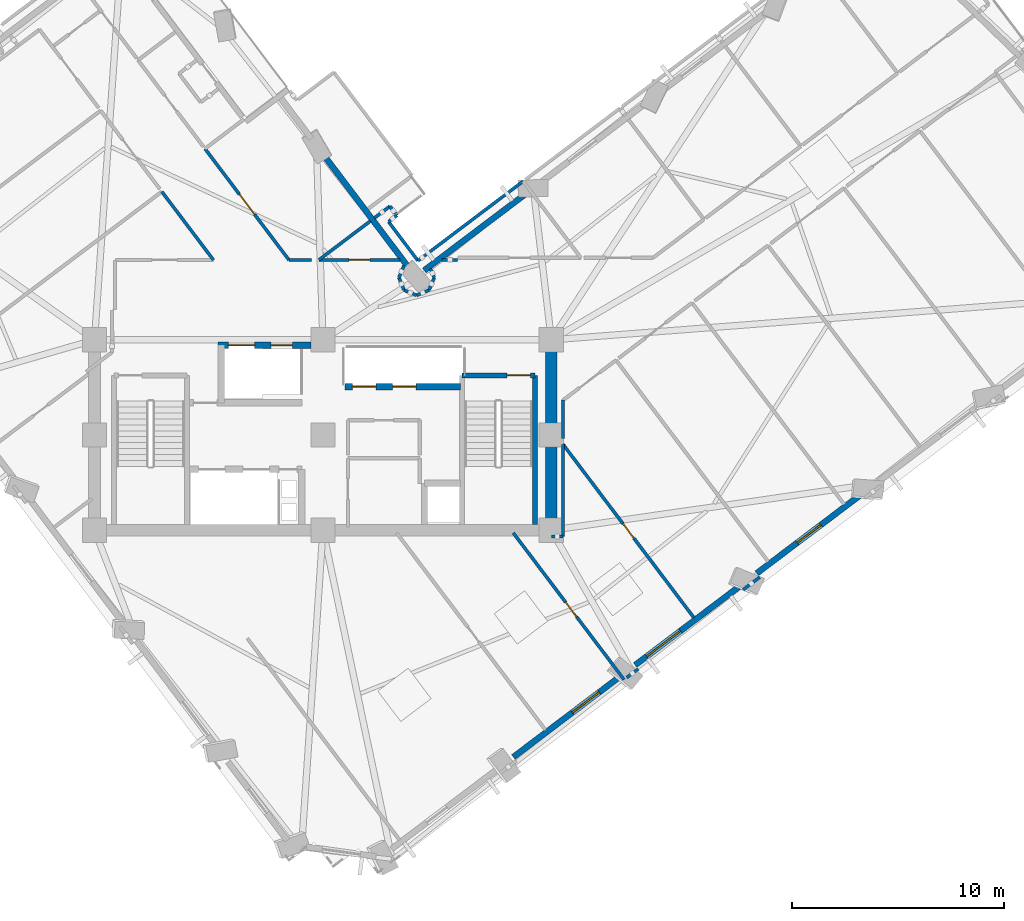
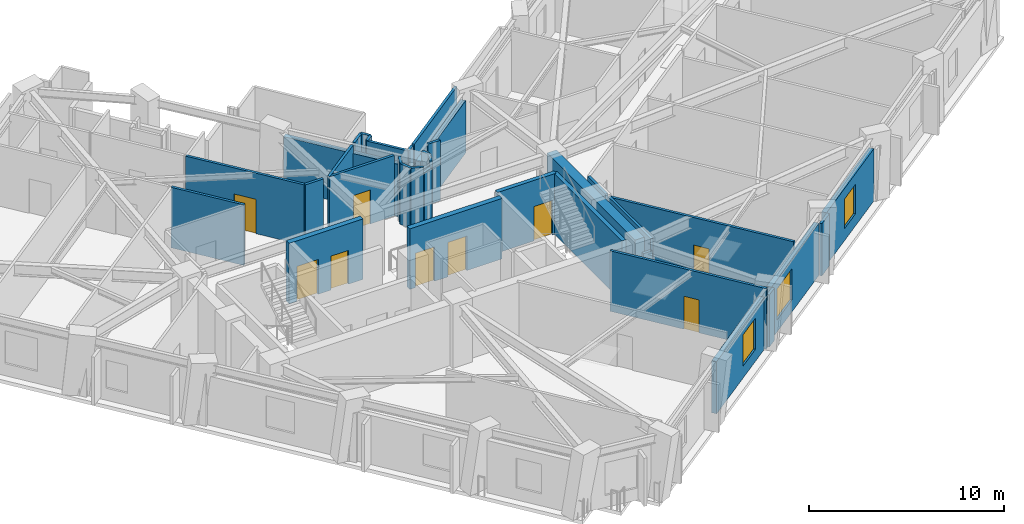
# One storey, part 7 of 15: 35 walls, 9 doors, 3 windows, 12 openings.
"""IFC4 building model written with IfcOpenShell, lengths in metres."""

from ifc_helpers import new_model, si_unit, direction, frame, frame_2d, origin, place, context, subcontext, project, spatial, rectangle, extrude, material, layer, layer_set, type_object, element, fill, save


model = new_model("IFC4")

# Units and contexts
model_context = context("Model", 3, precision=1e-05, world=origin(), true_north=direction((0.0, 1.0)))
body_context = subcontext(model_context, "Body", "Model", "MODEL_VIEW")
ifc_project = project(units=[si_unit("LENGTHUNIT", "METRE"), si_unit("AREAUNIT", "SQUARE_METRE"), si_unit("VOLUMEUNIT", "CUBIC_METRE"), si_unit("PLANEANGLEUNIT", "RADIAN"), si_unit("MASSUNIT", "GRAM", prefix="KILO")], contexts=[model_context])

# Site, building, storey
site_placement = place(None, origin())
site = spatial("IfcSite", under=ifc_project, at=site_placement, CompositionType="ELEMENT")
building_placement = place(site_placement, origin())
building = spatial("IfcBuilding", under=site, at=building_placement, Name="Gaonmaruhae Medical Tower", CompositionType="ELEMENT")
storey_placement = place(building_placement, frame((0.0, 0.0, 181.800048828125)))
storey = spatial("IfcBuildingStorey", under=building, at=storey_placement, Name="L43", CompositionType="ELEMENT", Elevation=181.800048828125)

# Wall
ifc_material_1 = material(Name="Concrete C50/60", Category="concrete")
ifc_layer_1 = layer(ifc_material_1, 0.550048828125)
ifc_layer_set_1 = layer_set([ifc_layer_1], Name="Concrete C50/60")
wall_type_1 = type_object("IfcWallType", Name="CW-550 Mid-High Core Shear Wall", PredefinedType="SHEAR", material=ifc_layer_set_1)
wall_1_placement = place(storey_placement, frame((35.60009765625, 7.800048828125, 0.0), z_axis=(0.0, 0.0, 1.0), x_axis=(0.0, 1.0, 0.0)))
element("IfcWall", 1, at=wall_1_placement, inside=storey, type_object=wall_type_1, Name="L43 Core Shear Wall CSW-E1", PredefinedType="SHEAR", context=body_context, shape_type="SweptSolid", body=[
    extrude(rectangle(XDim=9.0, YDim=0.550048828125, at=frame_2d((4.5, 0.0))), origin(), (0.0, 0.0, 1.0), 3.780029296875),
])

# Wall, opening, window
ifc_material_2 = material(Name="Precast concrete C45/55", Category="concrete")
ifc_layer_2 = layer(ifc_material_2, 0.280029296875)
ifc_layer_set_2 = layer_set([ifc_layer_2], Name="Precast concrete C45/55")
wall_type_2 = type_object("IfcWallType", Name="EW-280 Upper Precast Masonry-Frame Facade Wall", PredefinedType="SOLIDWALL", material=ifc_layer_set_2)
wall_2_placement = place(storey_placement, frame((38.781982421875, 0.83349609375, 0.0), z_axis=(0.0, 0.0, 1.0), x_axis=(-0.798116310231, -0.602503406914, 0.0)))
wall_2 = element("IfcWall", 2, at=wall_2_placement, inside=storey, type_object=wall_type_2, Name="L43 Precast Masonry-Frame Wall S02-S03", PredefinedType="SOLIDWALL", context=body_context, shape_type="SweptSolid", body=[
    extrude(rectangle(XDim=6.234130859375, YDim=0.280029296875, at=frame_2d((3.1171875, 0.0))), origin(), (0.0, 0.0, 1.0), 3.264892578125),
])
opening_1_placement = place(wall_2_placement, frame((1.14453125, 0.0, 0.75)))
opening_1 = element("IfcOpeningElement", 3, at=opening_1_placement, cuts=wall_2, Name="Opening WN-01", PredefinedType="OPENING", context=body_context, shape_type="SweptSolid", body=[
    extrude(rectangle(XDim=1.60009765625, YDim=1.949951171875, at=frame_2d((0.800048828125, 0.97509765625))), frame((0.0, 0.14990234375, 0.0), z_axis=(0.0, -1.0, 0.0), x_axis=(1.0, 0.0, 0.0)), (0.0, 0.0, 1.0), 0.300048828125),
])
ifc_material_3 = material(Name="Anodised aluminium and Low-E double glazing", Category="aluminium")
window_type_1 = type_object("IfcWindowType", Name="WN-01 Ward Punched Acoustic Window 1600x1950", PartitioningType="SINGLE_PANEL", PredefinedType="WINDOW", material=ifc_material_3)
window_1_placement = place(opening_1_placement, origin())
window_1 = element("IfcWindow", 4, at=window_1_placement, inside=storey, type_object=window_type_1, Name="L43 Modular Facade Window S02", OverallHeight=1.949951171875, OverallWidth=1.60009765625, PartitioningType="SINGLE_PANEL", PredefinedType="WINDOW", context=body_context, shape_type="SweptSolid", body=[
    extrude(rectangle(XDim=1.60009765625, YDim=1.949951171875, at=frame_2d((0.800048828125, 0.97509765625))), frame((0.0, 0.030029296875, 0.0), z_axis=(0.0, -1.0, 0.0), x_axis=(1.0, 0.0, 0.0)), (0.0, 0.0, 1.0), 0.06005859375),
])
fill(opening_1, window_1)

wall_3_placement = place(storey_placement, frame((44.52294921875, 5.16748046875, 0.0), z_axis=(0.0, 0.0, 1.0), x_axis=(-0.798115007823, -0.602505132167, 0.0)))
wall_3 = element("IfcWall", 5, at=wall_3_placement, inside=storey, type_object=wall_type_2, Name="L43 Precast Masonry-Frame Wall S03-S04", PredefinedType="SOLIDWALL", context=body_context, shape_type="SweptSolid", body=[
    extrude(rectangle(XDim=6.21435546875, YDim=0.280029296875, at=frame_2d((3.107177734375, 0.0))), origin(), (0.0, 0.0, 1.0), 3.264892578125),
])
opening_2_placement = place(wall_3_placement, frame((3.534912109375, 0.0, 0.75)))
opening_2 = element("IfcOpeningElement", 6, at=opening_2_placement, cuts=wall_3, Name="Opening WN-02", PredefinedType="OPENING", context=body_context, shape_type="SweptSolid", body=[
    extrude(rectangle(XDim=2.0, YDim=1.949951171875, at=frame_2d((1.0, 0.97509765625))), frame((0.0, 0.14990234375, 0.0), z_axis=(0.0, -1.0, 0.0), x_axis=(1.0, 0.0, 0.0)), (0.0, 0.0, 1.0), 0.300048828125),
])
window_type_2 = type_object("IfcWindowType", Name="WN-02 Double-Bed Ward Punched Window 2000x1950", PartitioningType="SINGLE_PANEL", PredefinedType="WINDOW", material=ifc_material_3)
window_2_placement = place(opening_2_placement, origin())
window_2 = element("IfcWindow", 7, at=window_2_placement, inside=storey, type_object=window_type_2, Name="L43 Modular Facade Window S03", OverallHeight=1.949951171875, OverallWidth=2.0, PartitioningType="SINGLE_PANEL", PredefinedType="WINDOW", context=body_context, shape_type="SweptSolid", body=[
    extrude(rectangle(XDim=2.0, YDim=1.949951171875, at=frame_2d((1.0, 0.97509765625))), frame((0.0, 0.030029296875, 0.0), z_axis=(0.0, -1.0, 0.0), x_axis=(1.0, 0.0, 0.0)), (0.0, 0.0, 1.0), 0.06005859375),
])
fill(opening_2, window_2)

wall_4_placement = place(storey_placement, frame((50.269775390625, 9.506103515625, 0.0), z_axis=(0.0, 0.0, 1.0), x_axis=(-0.798099248816, -0.60252600694, 0.0)))
wall_4 = element("IfcWall", 8, at=wall_4_placement, inside=storey, type_object=wall_type_2, Name="L43 Precast Masonry-Frame Wall S04-S05", PredefinedType="SOLIDWALL", context=body_context, shape_type="SweptSolid", body=[
    extrude(rectangle(XDim=6.209228515625, YDim=0.280029296875, at=frame_2d((3.1044921875, 0.0))), origin(), (0.0, 0.0, 1.0), 3.264892578125),
])
opening_3_placement = place(wall_4_placement, frame((2.41943359375, 0.0, 0.75)))
opening_3 = element("IfcOpeningElement", 9, at=opening_3_placement, cuts=wall_4, Name="Opening WN-03", PredefinedType="OPENING", context=body_context, shape_type="SweptSolid", body=[
    extrude(rectangle(XDim=1.39990234375, YDim=1.85009765625, at=frame_2d((0.699951171875, 0.925048828125))), frame((0.0, 0.14990234375, 0.0), z_axis=(0.0, -1.0, 0.0), x_axis=(1.0, 0.0, 0.0)), (0.0, 0.0, 1.0), 0.300048828125),
])
window_type_3 = type_object("IfcWindowType", Name="WN-03 Isolation Ward Punched Window 1400x1850", PartitioningType="SINGLE_PANEL", PredefinedType="WINDOW", material=ifc_material_3)
window_3_placement = place(opening_3_placement, origin())
window_3 = element("IfcWindow", 10, at=window_3_placement, inside=storey, type_object=window_type_3, Name="L43 Modular Facade Window S04", OverallHeight=1.85009765625, OverallWidth=1.39990234375, PartitioningType="SINGLE_PANEL", PredefinedType="WINDOW", context=body_context, shape_type="SweptSolid", body=[
    extrude(rectangle(XDim=1.39990234375, YDim=1.85009765625, at=frame_2d((0.699951171875, 0.925048828125))), frame((0.0, 0.030029296875, 0.0), z_axis=(0.0, -1.0, 0.0), x_axis=(1.0, 0.0, 0.0)), (0.0, 0.0, 1.0), 0.06005859375),
])
fill(opening_3, window_3)

# Walls
wall_5_placement = place(storey_placement, frame((29.588623046875, 20.080322265625, 0.0), z_axis=(0.0, 0.0, 1.0), x_axis=(0.798108500782, 0.602513751694, 0.0)))
element("IfcWall", 11, at=wall_5_placement, inside=storey, type_object=wall_type_2, Name="L43 Precast Masonry-Frame Wall EN03-KN01", PredefinedType="SOLIDWALL", context=body_context, shape_type="SweptSolid", body=[
    extrude(rectangle(XDim=5.960205078125, YDim=0.280029296875, at=frame_2d((2.97998046875, 0.0))), origin(), (0.0, 0.0, 1.0), 3.264892578125),
])
wall_6_placement = place(storey_placement, frame((28.91943359375, 20.12890625, 0.0), z_axis=(0.0, 0.0, 1.0), x_axis=(-0.602505021185, 0.798115091604, 0.0)))
element("IfcWall", 12, at=wall_6_placement, inside=storey, type_object=wall_type_2, Name="L43 Precast Masonry-Frame Wall KN01-NE01", PredefinedType="SOLIDWALL", context=body_context, shape_type="SweptSolid", body=[
    extrude(rectangle(XDim=6.759765625, YDim=0.280029296875, at=frame_2d((3.3798828125, 0.0))), origin(), (0.0, 0.0, 1.0), 3.264892578125),
])

# Wall, opening, door
ifc_material_4 = material(Name="Gypsum board partition", Category="gypsum")
ifc_layer_3 = layer(ifc_material_4, 0.14990234375)
ifc_layer_set_3 = layer_set([ifc_layer_3], Name="Gypsum board partition")
wall_type_3 = type_object("IfcWallType", Name="PW-150 Rated Clinical Corridor Partition", PredefinedType="PARTITIONING", material=ifc_layer_set_3)
wall_7_placement = place(storey_placement, frame((33.800048828125, 7.672119140625, 0.0), z_axis=(0.0, 0.0, 1.0), x_axis=(0.602541315971, -0.798087691014, 0.0)))
wall_7 = element("IfcWall", 13, at=wall_7_placement, inside=storey, type_object=wall_type_3, Name="L43 Interior Partition L43-SUP04-13", PredefinedType="PARTITIONING", context=body_context, shape_type="SweptSolid", body=[
    extrude(rectangle(XDim=8.689697265625, YDim=0.14990234375, at=frame_2d((4.3447265625, 0.0))), origin(), (0.0, 0.0, 1.0), 3.780029296875),
])
opening_4_placement = place(wall_7_placement, frame((4.102783203125, 0.0, 0.0)))
opening_4 = element("IfcOpeningElement", 14, at=opening_4_placement, cuts=wall_7, Name="Opening AD-01", PredefinedType="OPENING", context=body_context, shape_type="SweptSolid", body=[
    extrude(rectangle(XDim=0.860107421875, YDim=2.06005859375, at=frame_2d((0.43017578125, 1.030029296875))), frame((0.0, 0.0849609375, 0.0), z_axis=(0.0, -1.0, 0.0), x_axis=(1.0, 0.0, 0.0)), (0.0, 0.0, 1.0), 0.169921875),
])
ifc_material_5 = material(Name="Powder-coated steel access door", Category="steel")
door_type_1 = type_object("IfcDoorType", Name="AD-01 Riser & Closet Access Fire Door 860x2060", OperationType="NOTDEFINED", PredefinedType="DOOR", material=ifc_material_5)
door_1_placement = place(opening_4_placement, origin())
door_1 = element("IfcDoor", 15, at=door_1_placement, inside=storey, type_object=door_type_1, Name="L43 Clinical Biomedical Charting Office Sliding Door", OperationType="SLIDING_TO_LEFT", OverallHeight=2.06005859375, OverallWidth=0.860107421875, PredefinedType="DOOR", context=body_context, shape_type="SweptSolid", body=[
    extrude(rectangle(XDim=0.860107421875, YDim=2.06005859375, at=frame_2d((0.43017578125, 1.030029296875))), frame((0.0, 0.02490234375, 0.0), z_axis=(0.0, -1.0, 0.0), x_axis=(1.0, 0.0, 0.0)), (0.0, 0.0, 1.0), 0.050048828125),
])
fill(opening_4, door_1)

wall_8_placement = place(storey_placement, frame((36.14990234375, 11.862060546875, 0.0), z_axis=(0.0, 0.0, 1.0), x_axis=(0.602487751948, -0.79812812803, 0.0)))
wall_8 = element("IfcWall", 16, at=wall_8_placement, inside=storey, type_object=wall_type_3, Name="L43 Interior Partition L43-SUP05-14", PredefinedType="PARTITIONING", context=body_context, shape_type="SweptSolid", body=[
    extrude(rectangle(XDim=10.272705078125, YDim=0.14990234375, at=frame_2d((5.13623046875, 0.0))), origin(), (0.0, 0.0, 1.0), 3.780029296875),
])
opening_5_placement = place(wall_8_placement, frame((4.706298828125, 0.0, 0.0)))
opening_5 = element("IfcOpeningElement", 17, at=opening_5_placement, cuts=wall_8, Name="Opening AD-01", PredefinedType="OPENING", context=body_context, shape_type="SweptSolid", body=[
    extrude(rectangle(XDim=0.860107421875, YDim=2.06005859375, at=frame_2d((0.43017578125, 1.030029296875))), frame((0.0, 0.0849609375, 0.0), z_axis=(0.0, -1.0, 0.0), x_axis=(1.0, 0.0, 0.0)), (0.0, 0.0, 1.0), 0.169921875),
])
door_2_placement = place(opening_5_placement, origin())
door_2 = element("IfcDoor", 18, at=door_2_placement, inside=storey, type_object=door_type_1, Name="L43 Clinical Biomedical Charting Office Sliding Door", OperationType="SLIDING_TO_LEFT", OverallHeight=2.06005859375, OverallWidth=0.860107421875, PredefinedType="DOOR", context=body_context, shape_type="SweptSolid", body=[
    extrude(rectangle(XDim=0.860107421875, YDim=2.06005859375, at=frame_2d((0.43017578125, 1.030029296875))), frame((0.0, 0.02490234375, 0.0), z_axis=(0.0, -1.0, 0.0), x_axis=(1.0, 0.0, 0.0)), (0.0, 0.0, 1.0), 0.050048828125),
])
fill(opening_5, door_2)

# Walls
wall_9_placement = place(storey_placement, frame((39.701904296875, 1.239990234375, 0.0), z_axis=(0.0, 0.0, 1.0), x_axis=(-0.797956198475, -0.602715443071, 0.0)))
element("IfcWall", 19, at=wall_9_placement, inside=storey, type_object=wall_type_3, Name="L43 Interior Partition L43-SUP05-15", PredefinedType="PARTITIONING", context=body_context, shape_type="SweptSolid", body=[
    extrude(rectangle(XDim=0.67529296875, YDim=0.14990234375, at=frame_2d((0.337646484375, 0.0))), origin(), (0.0, 0.0, 1.0), 3.264892578125),
])
wall_10_placement = place(storey_placement, frame((35.60009765625, 7.5, 0.0), z_axis=(0.0, 0.0, 1.0), x_axis=(1.0, 0.0, 0.0)))
element("IfcWall", 20, at=wall_10_placement, inside=storey, type_object=wall_type_3, Name="L43 Interior Partition L43-SUP05-16", PredefinedType="PARTITIONING", context=body_context, shape_type="SweptSolid", body=[
    extrude(rectangle(XDim=0.5498046875, YDim=0.14990234375, at=frame_2d((0.27490234375, 0.0))), origin(), (0.0, 0.0, 1.0), 3.06494140625),
])
wall_11_placement = place(storey_placement, frame((36.14990234375, 7.5, 0.0), z_axis=(0.0, 0.0, 1.0), x_axis=(0.0, 1.0, 0.0)))
element("IfcWall", 21, at=wall_11_placement, inside=storey, type_object=wall_type_3, Name="L43 Interior Partition L43-SUP05-17", PredefinedType="PARTITIONING", context=body_context, shape_type="SweptSolid", body=[
    extrude(rectangle(XDim=4.362060546875, YDim=0.14990234375, at=frame_2d((2.18115234375, 0.0))), origin(), (0.0, 0.0, 1.0), 3.780029296875),
])
wall_12_placement = place(storey_placement, frame((45.452880859375, 5.5810546875, 0.0), z_axis=(0.0, 0.0, 1.0), x_axis=(-0.798014769905, -0.602637890456, 0.0)))
element("IfcWall", 22, at=wall_12_placement, inside=storey, type_object=wall_type_3, Name="L43 Interior Partition L43-SUP06-19", PredefinedType="PARTITIONING", context=body_context, shape_type="SweptSolid", body=[
    extrude(rectangle(XDim=0.990966796875, YDim=0.14990234375, at=frame_2d((0.49560546875, 0.0))), origin(), (0.0, 0.0, 1.0), 3.264892578125),
])
wall_13_placement = place(storey_placement, frame((36.14990234375, 12.1279296875, 0.0), z_axis=(0.0, 0.0, 1.0), x_axis=(0.0, 1.0, 0.0)))
element("IfcWall", 23, at=wall_13_placement, inside=storey, type_object=wall_type_3, Name="L43 Interior Partition L43-SUP06-20", PredefinedType="PARTITIONING", context=body_context, shape_type="SweptSolid", body=[
    extrude(rectangle(XDim=1.817138671875, YDim=0.14990234375, at=frame_2d((0.90869140625, 0.0))), origin(), (0.0, 0.0, 1.0), 3.780029296875),
])
wall_14_placement = place(storey_placement, frame((17.18310546875, 23.80810546875, 0.0), z_axis=(0.0, 0.0, 1.0), x_axis=(0.602527348014, -0.798098236369, 0.0)))
element("IfcWall", 24, at=wall_14_placement, inside=storey, type_object=wall_type_3, Name="L43 Interior Partition L43-WOF15-50", PredefinedType="PARTITIONING", context=body_context, shape_type="SweptSolid", body=[
    extrude(rectangle(XDim=4.044677734375, YDim=0.14990234375, at=frame_2d((2.0224609375, 0.0))), origin(), (0.0, 0.0, 1.0), 3.780029296875),
])
wall_15_placement = place(storey_placement, frame((29.29296875, 20.5458984375, 0.0), z_axis=(0.0, 0.0, 1.0), x_axis=(0.797244555245, 0.603656457873, 0.0)))
element("IfcWall", 25, at=wall_15_placement, inside=storey, type_object=wall_type_3, Name="L43 Interior Partition L43-IE01-60", PredefinedType="PARTITIONING", context=body_context, shape_type="SweptSolid", body=[
    extrude(rectangle(XDim=0.490478515625, YDim=0.14990234375, at=frame_2d((0.2451171875, 0.0))), origin(), (0.0, 0.0, 1.0), 3.780029296875),
])
wall_16_placement = place(storey_placement, frame((29.886962890625, 20.160888671875, 0.0), z_axis=(0.0, 0.0, 1.0), x_axis=(0.382178193532, -0.924088647473, 0.0)))
element("IfcWall", 26, at=wall_16_placement, inside=storey, type_object=wall_type_3, Name="L43 Interior Partition L43-IE01-61", PredefinedType="PARTITIONING", context=body_context, shape_type="SweptSolid", body=[
    extrude(rectangle(XDim=0.45556640625, YDim=0.14990234375, at=frame_2d((0.227783203125, 0.0))), origin(), (0.0, 0.0, 1.0), 3.780029296875),
])
wall_17_placement = place(storey_placement, frame((30.06103515625, 19.739990234375, 0.0), z_axis=(0.0, 0.0, 1.0), x_axis=(-0.382306769343, -0.924035461503, 0.0)))
element("IfcWall", 27, at=wall_17_placement, inside=storey, type_object=wall_type_3, Name="L43 Interior Partition L43-IE01-62", PredefinedType="PARTITIONING", context=body_context, shape_type="SweptSolid", body=[
    extrude(rectangle(XDim=0.638671875, YDim=0.14990234375, at=frame_2d((0.3193359375, 0.0))), origin(), (0.0, 0.0, 1.0), 3.780029296875),
])
wall_18_placement = place(storey_placement, frame((29.81689453125, 19.14990234375, 0.0), z_axis=(0.0, 0.0, 1.0), x_axis=(-0.923890787601, -0.382656259044, 0.0)))
element("IfcWall", 28, at=wall_18_placement, inside=storey, type_object=wall_type_3, Name="L43 Interior Partition L43-IE01-63", PredefinedType="PARTITIONING", context=body_context, shape_type="SweptSolid", body=[
    extrude(rectangle(XDim=0.637451171875, YDim=0.14990234375, at=frame_2d((0.31884765625, 0.0))), origin(), (0.0, 0.0, 1.0), 3.4150390625),
])
for number, where, z_axis, x_axis, name in (
    (29, (29.22802734375, 18.906005859375, 0.0), (0.0, 0.0, 1.0), (-0.924170479167, 0.381980268386, 0.0), "L43 Interior Partition L43-IE01-64"),
    (30, (28.637939453125, 19.14990234375, 0.0), (0.0, 0.0, 1.0), (-0.381980268386, 0.924170479167, 0.0), "L43 Interior Partition L43-IE01-65"),
):
    element("IfcWall", number, at=place(storey_placement, frame(where, z_axis=z_axis, x_axis=x_axis)), inside=storey, type_object=wall_type_3, Name=name, PredefinedType="PARTITIONING", context=body_context, shape_type="SweptSolid", body=[
        extrude(rectangle(XDim=0.638427734375, YDim=0.14990234375, at=frame_2d((0.3193359375, 0.0))), origin(), (0.0, 0.0, 1.0), 3.780029296875),
    ])
wall_19_placement = place(storey_placement, frame((28.39404296875, 19.739990234375, 0.0), z_axis=(0.0, 0.0, 1.0), x_axis=(0.382754628836, 0.923850038753, 0.0)))
element("IfcWall", 31, at=wall_19_placement, inside=storey, type_object=wall_type_3, Name="L43 Interior Partition L43-IE01-66", PredefinedType="PARTITIONING", context=body_context, shape_type="SweptSolid", body=[
    extrude(rectangle(XDim=0.62451171875, YDim=0.14990234375, at=frame_2d((0.312255859375, 0.0))), origin(), (0.0, 0.0, 1.0), 3.780029296875),
])

# Wall, opening, door
wall_20_placement = place(storey_placement, frame((28.43603515625, 20.577880859375, 0.0), z_axis=(0.0, 0.0, 1.0), x_axis=(-0.999999835274, 0.000573979497, 0.0)))
wall_20 = element("IfcWall", 32, at=wall_20_placement, inside=storey, type_object=wall_type_3, Name="L43 Interior Partition L43-IE01-67", PredefinedType="PARTITIONING", context=body_context, shape_type="SweptSolid", body=[
    extrude(rectangle(XDim=3.828125, YDim=0.14990234375, at=frame_2d((1.9140625, 0.0))), origin(), (0.0, 0.0, 1.0), 3.780029296875),
])
opening_6_placement = place(wall_20_placement, frame((1.4140625, 0.0, 0.0)))
opening_6 = element("IfcOpeningElement", 33, at=opening_6_placement, cuts=wall_20, Name="Opening CD-01", PredefinedType="OPENING", context=body_context, shape_type="SweptSolid", body=[
    extrude(rectangle(XDim=1.0, YDim=2.1201171875, at=frame_2d((0.5, 1.06005859375))), frame((0.0, 0.0849609375, 0.0), z_axis=(0.0, -1.0, 0.0), x_axis=(1.0, 0.0, 0.0)), (0.0, 0.0, 1.0), 0.169921875),
])
ifc_material_6 = material(Name="Antimicrobial laminate timber fire door", Category="wood")
door_type_2 = type_object("IfcDoorType", Name="CD-01 Consultation & Physician Office Door 1000x2120", OperationType="NOTDEFINED", PredefinedType="DOOR", material=ifc_material_6)
door_3_placement = place(opening_6_placement, origin())
door_3 = element("IfcDoor", 34, at=door_3_placement, inside=storey, type_object=door_type_2, Name="L43 Central Clinical Nurse Station Door", OperationType="SINGLE_SWING_RIGHT", OverallHeight=2.1201171875, OverallWidth=1.0, PredefinedType="DOOR", context=body_context, shape_type="SweptSolid", body=[
    extrude(rectangle(XDim=1.0, YDim=2.1201171875, at=frame_2d((0.5, 1.06005859375))), frame((0.0, 0.02490234375, 0.0), z_axis=(0.0, -1.0, 0.0), x_axis=(1.0, 0.0, 0.0)), (0.0, 0.0, 1.0), 0.050048828125),
])
fill(opening_6, door_3)

# Walls
wall_21_placement = place(storey_placement, frame((24.60791015625, 20.580078125, 0.0), z_axis=(0.0, 0.0, 1.0), x_axis=(0.798212355552, 0.602376157765, 0.0)))
element("IfcWall", 35, at=wall_21_placement, inside=storey, type_object=wall_type_3, Name="L43 Interior Partition L43-IE01-68", PredefinedType="PARTITIONING", context=body_context, shape_type="SweptSolid", body=[
    extrude(rectangle(XDim=3.05419921875, YDim=0.14990234375, at=frame_2d((1.527099609375, 0.0))), origin(), (0.0, 0.0, 1.0), 3.780029296875),
])
wall_22_placement = place(storey_placement, frame((27.22900390625, 22.55908203125, 0.0), z_axis=(0.0, 0.0, 1.0), x_axis=(0.798253828191, 0.602321198182, 0.0)))
element("IfcWall", 36, at=wall_22_placement, inside=storey, type_object=wall_type_3, Name="L43 Interior Partition L43-IE01-69", PredefinedType="PARTITIONING", context=body_context, shape_type="SweptSolid", body=[
    extrude(rectangle(XDim=0.924560546875, YDim=0.14990234375, at=frame_2d((0.46240234375, 0.0))), origin(), (0.0, 0.0, 1.0), 3.780029296875),
])
wall_23_placement = place(storey_placement, frame((27.967041015625, 23.115966796875, 0.0), z_axis=(0.0, 0.0, 1.0), x_axis=(0.602725153945, -0.797948863525, 0.0)))
element("IfcWall", 37, at=wall_23_placement, inside=storey, type_object=wall_type_3, Name="L43 Interior Partition L43-IE01-70", PredefinedType="PARTITIONING", context=body_context, shape_type="SweptSolid", body=[
    extrude(rectangle(XDim=0.5439453125, YDim=0.14990234375, at=frame_2d((0.27197265625, 0.0))), origin(), (0.0, 0.0, 1.0), 3.780029296875),
])
wall_24_placement = place(storey_placement, frame((28.294921875, 22.681884765625, 0.0), z_axis=(0.0, 0.0, 1.0), x_axis=(-0.798261520433, -0.602311003549, 0.0)))
element("IfcWall", 38, at=wall_24_placement, inside=storey, type_object=wall_type_3, Name="L43 Interior Partition L43-IE01-71", PredefinedType="PARTITIONING", context=body_context, shape_type="SweptSolid", body=[
    extrude(rectangle(XDim=0.48974609375, YDim=0.14990234375, at=frame_2d((0.244873046875, 0.0))), origin(), (0.0, 0.0, 1.0), 3.780029296875),
])
wall_25_placement = place(storey_placement, frame((27.904052734375, 22.386962890625, 0.0), z_axis=(0.0, 0.0, 1.0), x_axis=(0.602250369938, -0.798307266602, 0.0)))
element("IfcWall", 39, at=wall_25_placement, inside=storey, type_object=wall_type_3, Name="L43 Interior Partition L43-IE01-72", PredefinedType="PARTITIONING", context=body_context, shape_type="SweptSolid", body=[
    extrude(rectangle(XDim=2.30615234375, YDim=0.14990234375, at=frame_2d((1.153076171875, 0.0))), origin(), (0.0, 0.0, 1.0), 3.780029296875),
])
wall_26_placement = place(storey_placement, frame((31.169921875, 20.580078125, 0.0), z_axis=(0.0, 0.0, 1.0), x_axis=(-1.0, 0.0, 0.0)))
element("IfcWall", 40, at=wall_26_placement, inside=storey, type_object=wall_type_3, Name="L43 Interior Partition L43-IE02-73", PredefinedType="PARTITIONING", context=body_context, shape_type="SweptSolid", body=[
    extrude(rectangle(XDim=0.72900390625, YDim=0.14990234375, at=frame_2d((0.364501953125, 0.0))), origin(), (0.0, 0.0, 1.0), 3.780029296875),
])
wall_27_placement = place(storey_placement, frame((29.780029296875, 20.9140625, 0.0), z_axis=(0.0, 0.0, 1.0), x_axis=(0.798108322746, 0.602513987525, 0.0)))
element("IfcWall", 41, at=wall_27_placement, inside=storey, type_object=wall_type_3, Name="L43 Interior Partition L43-IE02-74", PredefinedType="PARTITIONING", context=body_context, shape_type="SweptSolid", body=[
    extrude(rectangle(XDim=5.6181640625, YDim=0.14990234375, at=frame_2d((2.80908203125, 0.0))), origin(), (0.0, 0.0, 1.0), 3.780029296875),
])
wall_28_placement = place(storey_placement, frame((24.263916015625, 20.580078125, 0.0), z_axis=(0.0, 0.0, 1.0), x_axis=(-1.0, 0.0, 0.0)))
element("IfcWall", 42, at=wall_28_placement, inside=storey, type_object=wall_type_3, Name="L43 Interior Partition L43-IN01-97", PredefinedType="PARTITIONING", context=body_context, shape_type="SweptSolid", body=[
    extrude(rectangle(XDim=1.072998046875, YDim=0.14990234375, at=frame_2d((0.53662109375, 0.0))), origin(), (0.0, 0.0, 1.0), 3.780029296875),
])

# Wall, opening, door
wall_29_placement = place(storey_placement, frame((23.19091796875, 20.580078125, 0.0), z_axis=(0.0, 0.0, 1.0), x_axis=(-0.602464385219, 0.798145766476, 0.0)))
wall_29 = element("IfcWall", 43, at=wall_29_placement, inside=storey, type_object=wall_type_3, Name="L43 Interior Partition L43-IN01-98", PredefinedType="PARTITIONING", context=body_context, shape_type="SweptSolid", body=[
    extrude(rectangle(XDim=6.58642578125, YDim=0.14990234375, at=frame_2d((3.293212890625, 0.0))), origin(), (0.0, 0.0, 1.0), 3.780029296875),
])
opening_7_placement = place(wall_29_placement, frame((2.693115234375, 0.0, 0.0)))
opening_7 = element("IfcOpeningElement", 44, at=opening_7_placement, cuts=wall_29, Name="Opening CD-02", PredefinedType="OPENING", context=body_context, shape_type="SweptSolid", body=[
    extrude(rectangle(XDim=1.199951171875, YDim=2.14990234375, at=frame_2d((0.60009765625, 1.074951171875))), frame((0.0, 0.0849609375, 0.0), z_axis=(0.0, -1.0, 0.0), x_axis=(1.0, 0.0, 0.0)), (0.0, 0.0, 1.0), 0.169921875),
])
door_type_3 = type_object("IfcDoorType", Name="CD-02 Clinical Treatment & Procedure Door 1200x2150", OperationType="NOTDEFINED", PredefinedType="DOOR", material=ifc_material_6)
door_4_placement = place(opening_7_placement, origin())
door_4 = element("IfcDoor", 45, at=door_4_placement, inside=storey, type_object=door_type_3, Name="L43 Physician Consultation Office Door", OperationType="SINGLE_SWING_RIGHT", OverallHeight=2.14990234375, OverallWidth=1.199951171875, PredefinedType="DOOR", context=body_context, shape_type="SweptSolid", body=[
    extrude(rectangle(XDim=1.199951171875, YDim=2.14990234375, at=frame_2d((0.60009765625, 1.074951171875))), frame((0.0, 0.02490234375, 0.0), z_axis=(0.0, -1.0, 0.0), x_axis=(1.0, 0.0, 0.0)), (0.0, 0.0, 1.0), 0.050048828125),
])
fill(opening_7, door_4)

ifc_layer_4 = layer(ifc_material_1, 0.239990234375)
ifc_layer_set_4 = layer_set([ifc_layer_4], Name="Concrete C50/60")
wall_type_4 = type_object("IfcWallType", Name="SW-240 Dogleg Stair Tight Shaft Wall", PredefinedType="SOLIDWALL", material=ifc_layer_set_4)
wall_30_placement = place(storey_placement, frame((31.3701171875, 15.1201171875, 0.0), z_axis=(0.0, 0.0, 1.0), x_axis=(1.0, 0.0, 0.0)))
wall_30 = element("IfcWall", 46, at=wall_30_placement, inside=storey, type_object=wall_type_4, Name="L43 ST-02 Stair Shaft Wall SHW-ST-02-N", PredefinedType="SOLIDWALL", context=body_context, shape_type="SweptSolid", body=[
    extrude(rectangle(XDim=3.4599609375, YDim=0.239990234375, at=frame_2d((1.72998046875, 0.0))), origin(), (0.0, 0.0, 1.0), 3.780029296875),
])
opening_8_placement = place(wall_30_placement, frame((2.139892578125, 0.0, 0.0)))
opening_8 = element("IfcOpeningElement", 47, at=opening_8_placement, cuts=wall_30, Name="Opening FD-01", PredefinedType="OPENING", context=body_context, shape_type="SweptSolid", body=[
    extrude(rectangle(XDim=1.10009765625, YDim=2.14990234375, at=frame_2d((0.550048828125, 1.074951171875))), frame((0.0, 0.1298828125, 0.0), z_axis=(0.0, -1.0, 0.0), x_axis=(1.0, 0.0, 0.0)), (0.0, 0.0, 1.0), 0.260009765625),
])
ifc_material_7 = material(Name="Powder-coated steel fire door", Category="steel")
door_type_4 = type_object("IfcDoorType", Name="FD-01 Escape Stair Protected Fire Door 1100x2150", OperationType="NOTDEFINED", PredefinedType="DOOR", material=ifc_material_7)
door_5_placement = place(opening_8_placement, origin())
door_5 = element("IfcDoor", 48, at=door_5_placement, inside=storey, type_object=door_type_4, Name="L43 ST-02 Protected Escape Stair Door", OperationType="SINGLE_SWING_LEFT", OverallHeight=2.14990234375, OverallWidth=1.10009765625, PredefinedType="DOOR", context=body_context, shape_type="SweptSolid", body=[
    extrude(rectangle(XDim=1.10009765625, YDim=2.14990234375, at=frame_2d((0.550048828125, 1.074951171875))), frame((0.0, 0.02490234375, 0.0), z_axis=(0.0, -1.0, 0.0), x_axis=(1.0, 0.0, 0.0)), (0.0, 0.0, 1.0), 0.050048828125),
])
fill(opening_8, door_5)

# Wall
wall_31_placement = place(storey_placement, frame((34.830078125, 15.1201171875, 0.0), z_axis=(0.0, 0.0, 1.0), x_axis=(0.0, -1.0, 0.0)))
element("IfcWall", 49, at=wall_31_placement, inside=storey, type_object=wall_type_4, Name="L43 ST-02 Stair Shaft Wall SHW-ST-02-E", PredefinedType="SOLIDWALL", context=body_context, shape_type="SweptSolid", body=[
    extrude(rectangle(XDim=7.045166015625, YDim=0.239990234375, at=frame_2d((3.5224609375, 0.0))), origin(), (0.0, 0.0, 1.0), 3.780029296875),
])

# Wall, openings, doors
ifc_layer_5 = layer(ifc_material_1, 0.300048828125)
ifc_layer_set_5 = layer_set([ifc_layer_5], Name="Concrete C50/60")
wall_type_5 = type_object("IfcWallType", Name="SW-300 Stair & Lift Hoistway Shaft Wall", PredefinedType="SOLIDWALL", material=ifc_layer_set_5)
wall_32_placement = place(storey_placement, frame((19.85009765625, 16.550048828125, 0.0), z_axis=(0.0, 0.0, 1.0), x_axis=(1.0, 0.0, 0.0)))
wall_32 = element("IfcWall", 50, at=wall_32_placement, inside=storey, type_object=wall_type_5, Name="L43 Core Shear Wall CSW-NB", PredefinedType="SOLIDWALL", context=body_context, shape_type="SweptSolid", body=[
    extrude(rectangle(XDim=4.375, YDim=0.300048828125, at=frame_2d((2.1875, 0.0))), origin(), (0.0, 0.0, 1.0), 3.780029296875),
])
opening_9_placement = place(wall_32_placement, frame((0.47509765625, 0.0, 0.0)))
opening_9 = element("IfcOpeningElement", 51, at=opening_9_placement, cuts=wall_32, Name="Opening LD-F1", PredefinedType="OPENING", context=body_context, shape_type="SweptSolid", body=[
    extrude(rectangle(XDim=1.25, YDim=2.179931640625, at=frame_2d((0.625, 1.08984375))), frame((0.0, 0.16015625, 0.0), z_axis=(0.0, -1.0, 0.0), x_axis=(1.0, 0.0, 0.0)), (0.0, 0.0, 1.0), 0.320068359375),
])
opening_10_placement = place(wall_32_placement, frame((2.489990234375, 0.0, 0.0)))
opening_10 = element("IfcOpeningElement", 52, at=opening_10_placement, cuts=wall_32, Name="Opening LD-S1", PredefinedType="OPENING", context=body_context, shape_type="SweptSolid", body=[
    extrude(rectangle(XDim=1.02001953125, YDim=2.1201171875, at=frame_2d((0.510009765625, 1.06005859375))), frame((0.0, 0.16015625, 0.0), z_axis=(0.0, -1.0, 0.0), x_axis=(1.0, 0.0, 0.0)), (0.0, 0.0, 1.0), 0.320068359375),
])
ifc_material_8 = material(Name="Brushed stainless steel 316L landing door", Category="steel")
door_type_5 = type_object("IfcDoorType", Name="LD-F1 Firefighting & Bed Lift Sliding Landing Door 1250x2180", OperationType="NOTDEFINED", PredefinedType="DOOR", material=ifc_material_8)
door_6_placement = place(opening_9_placement, origin())
door_6 = element("IfcDoor", 53, at=door_6_placement, inside=storey, type_object=door_type_5, Name="L43 Service/Bed Lift Landing Door BDL-01", OperationType="DOUBLE_DOOR_SLIDING", OverallHeight=2.179931640625, OverallWidth=1.25, PredefinedType="DOOR", context=body_context, shape_type="SweptSolid", body=[
    extrude(rectangle(XDim=1.25, YDim=2.179931640625, at=frame_2d((0.625, 1.08984375))), frame((0.0, 0.02490234375, 0.0), z_axis=(0.0, -1.0, 0.0), x_axis=(1.0, 0.0, 0.0)), (0.0, 0.0, 1.0), 0.050048828125),
])
fill(opening_9, door_6)
ifc_material_9 = material(Name="Brushed stainless steel 304 landing door", Category="steel")
door_type_6 = type_object("IfcDoorType", Name="LD-S1 Service Lift Sliding Landing Door 1020x2120", OperationType="NOTDEFINED", PredefinedType="DOOR", material=ifc_material_9)
door_7_placement = place(opening_10_placement, origin())
door_7 = element("IfcDoor", 54, at=door_7_placement, inside=storey, type_object=door_type_6, Name="L43 Service/Bed Lift Landing Door SVL-01", OperationType="SLIDING_TO_LEFT", OverallHeight=2.1201171875, OverallWidth=1.02001953125, PredefinedType="DOOR", context=body_context, shape_type="SweptSolid", body=[
    extrude(rectangle(XDim=1.02001953125, YDim=2.1201171875, at=frame_2d((0.510009765625, 1.06005859375))), frame((0.0, 0.02490234375, 0.0), z_axis=(0.0, -1.0, 0.0), x_axis=(1.0, 0.0, 0.0)), (0.0, 0.0, 1.0), 0.050048828125),
])
fill(opening_10, door_7)

wall_33_placement = place(storey_placement, frame((25.85009765625, 14.580078125, 0.0), z_axis=(0.0, 0.0, 1.0), x_axis=(1.0, 0.0, 0.0)))
wall_33 = element("IfcWall", 55, at=wall_33_placement, inside=storey, type_object=wall_type_5, Name="L43 Shaft Enclosure Wall SHW-PLN", PredefinedType="SOLIDWALL", context=body_context, shape_type="SweptSolid", body=[
    extrude(rectangle(XDim=5.449951171875, YDim=0.300048828125, at=frame_2d((2.72509765625, 0.0))), origin(), (0.0, 0.0, 1.0), 3.780029296875),
])
opening_11_placement = place(wall_33_placement, frame((0.340087890625, 0.0, 0.0)))
opening_11 = element("IfcOpeningElement", 56, at=opening_11_placement, cuts=wall_33, Name="Opening LD-P1", PredefinedType="OPENING", context=body_context, shape_type="SweptSolid", body=[
    extrude(rectangle(XDim=1.1201171875, YDim=2.14990234375, at=frame_2d((0.56005859375, 1.074951171875))), frame((0.0, 0.16015625, 0.0), z_axis=(0.0, -1.0, 0.0), x_axis=(1.0, 0.0, 0.0)), (0.0, 0.0, 1.0), 0.320068359375),
])
opening_12_placement = place(wall_33_placement, frame((2.239990234375, 0.0, 0.0)))
opening_12 = element("IfcOpeningElement", 57, at=opening_12_placement, cuts=wall_33, Name="Opening LD-P1", PredefinedType="OPENING", context=body_context, shape_type="SweptSolid", body=[
    extrude(rectangle(XDim=1.1201171875, YDim=2.14990234375, at=frame_2d((0.56005859375, 1.074951171875))), frame((0.0, 0.16015625, 0.0), z_axis=(0.0, -1.0, 0.0), x_axis=(1.0, 0.0, 0.0)), (0.0, 0.0, 1.0), 0.320068359375),
])
door_type_7 = type_object("IfcDoorType", Name="LD-P1 Passenger Lift Sliding Landing Door 1120x2150", OperationType="NOTDEFINED", PredefinedType="DOOR", material=ifc_material_9)
door_8_placement = place(opening_11_placement, origin())
door_8 = element("IfcDoor", 58, at=door_8_placement, inside=storey, type_object=door_type_7, Name="L43 Passenger Lift Landing Door PL-M1", OperationType="DOUBLE_DOOR_SLIDING", OverallHeight=2.14990234375, OverallWidth=1.1201171875, PredefinedType="DOOR", context=body_context, shape_type="SweptSolid", body=[
    extrude(rectangle(XDim=1.1201171875, YDim=2.14990234375, at=frame_2d((0.56005859375, 1.074951171875))), frame((0.0, 0.02490234375, 0.0), z_axis=(0.0, -1.0, 0.0), x_axis=(1.0, 0.0, 0.0)), (0.0, 0.0, 1.0), 0.050048828125),
])
fill(opening_11, door_8)
door_9_placement = place(opening_12_placement, origin())
door_9 = element("IfcDoor", 59, at=door_9_placement, inside=storey, type_object=door_type_7, Name="L43 Passenger Lift Landing Door PL-M2", OperationType="DOUBLE_DOOR_SLIDING", OverallHeight=2.14990234375, OverallWidth=1.1201171875, PredefinedType="DOOR", context=body_context, shape_type="SweptSolid", body=[
    extrude(rectangle(XDim=1.1201171875, YDim=2.14990234375, at=frame_2d((0.56005859375, 1.074951171875))), frame((0.0, 0.02490234375, 0.0), z_axis=(0.0, -1.0, 0.0), x_axis=(1.0, 0.0, 0.0)), (0.0, 0.0, 1.0), 0.050048828125),
])
fill(opening_12, door_9)

save(model, "model.ifc")
